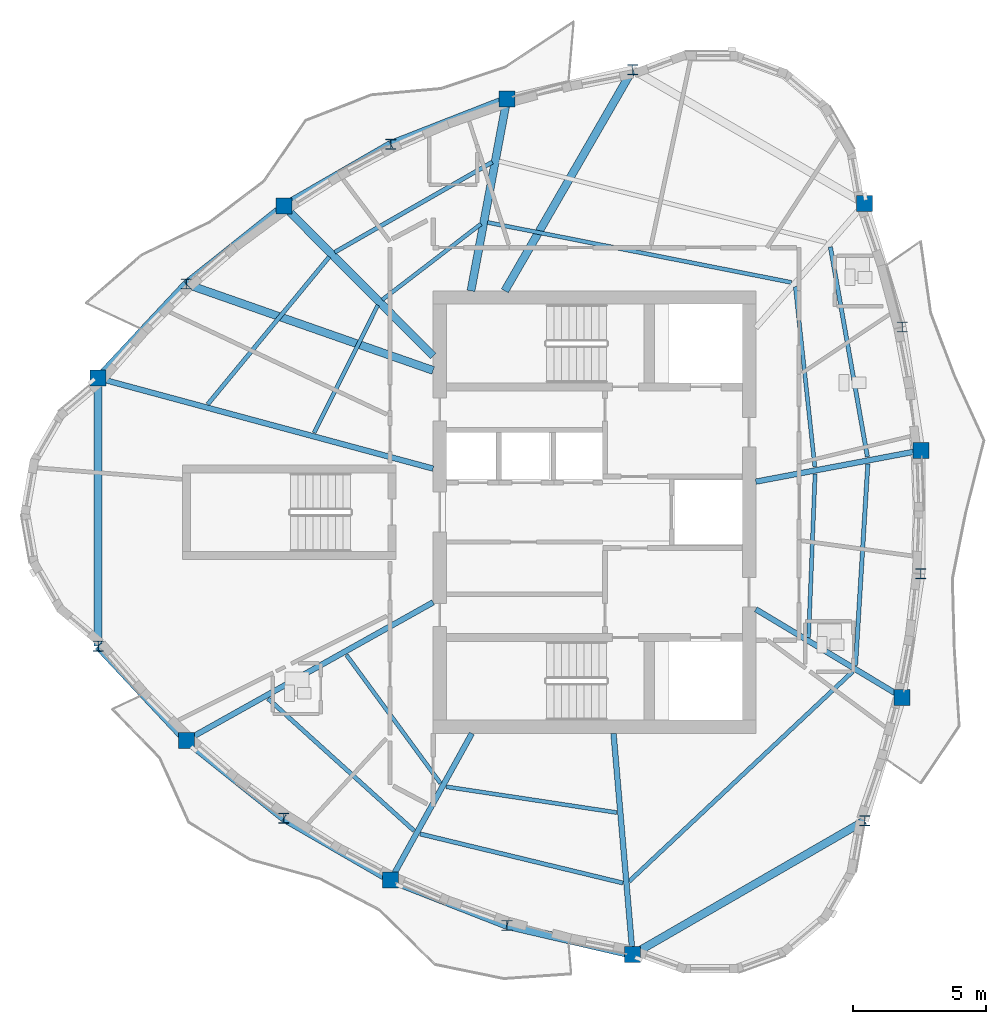
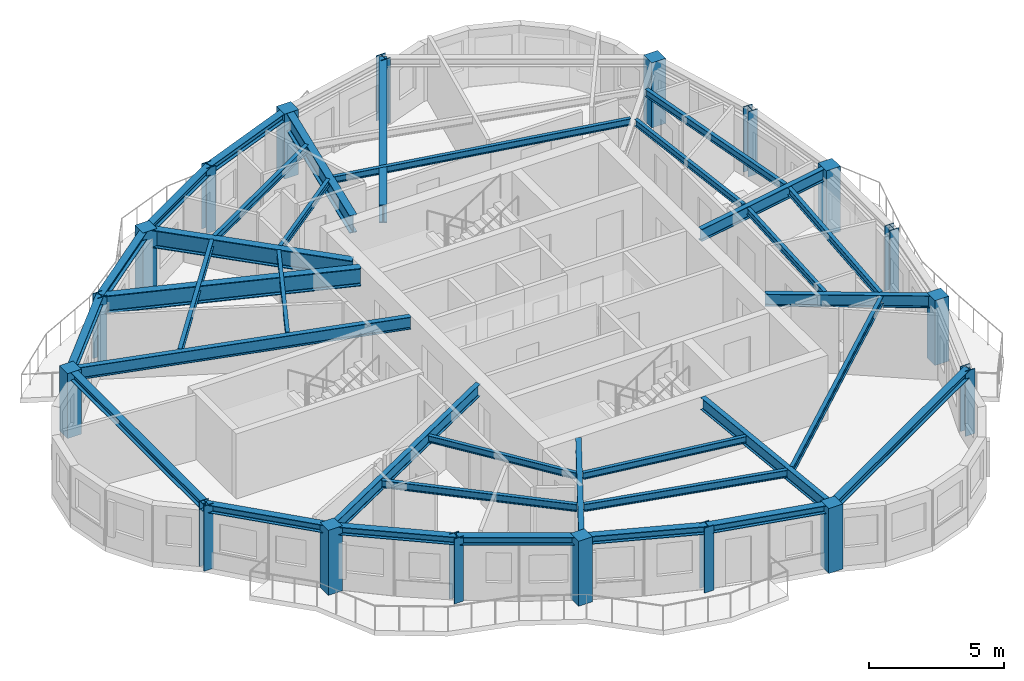
# One storey, part 1 of 12: 35 beams, 18 columns.
"""IFC4 building model written with IfcOpenShell, lengths in metres."""

from ifc_helpers import new_model, si_unit, direction, frame, origin, origin_2d, place, context, subcontext, project, spatial, rectangle, i_section, extrude, source, transform, mapped, material, material_profile, profile_set, type_object, element, save


model = new_model("IFC4")

# Units and contexts
model_context = context("Model", 3, precision=1e-05, world=origin(), true_north=direction((0.0, 1.0)))
body_context = subcontext(model_context, "Body", "Model", "MODEL_VIEW")
ifc_project = project(units=[si_unit("LENGTHUNIT", "METRE"), si_unit("AREAUNIT", "SQUARE_METRE"), si_unit("VOLUMEUNIT", "CUBIC_METRE"), si_unit("PLANEANGLEUNIT", "RADIAN"), si_unit("MASSUNIT", "GRAM", prefix="KILO")], contexts=[model_context])

# Site, building, storey
site_placement = place(None, origin())
site = spatial("IfcSite", under=ifc_project, at=site_placement, CompositionType="ELEMENT")
building_placement = place(site_placement, origin())
building = spatial("IfcBuilding", under=site, at=building_placement, Name="Qafzar Sky-Pleat Residences", CompositionType="ELEMENT")
storey_placement = place(building_placement, frame((0.0, 0.0, 202.0)))
storey = spatial("IfcBuildingStorey", under=building, at=storey_placement, Name="L60", CompositionType="ELEMENT", Elevation=202.0)

# Columns
ifc_material_1 = material(Name="Concrete C50/60", Category="concrete")
ifc_material_profile_1 = material_profile(ifc_material_1, rectangle(XDim=0.60009765625, YDim=0.60009765625, at=origin_2d()), Name="RC 600x600")
ifc_profile_set_1 = profile_set([ifc_material_profile_1], Name="Concrete C50/60")
column_type_1 = type_object("IfcColumnType", Name="COL-RC-600", PredefinedType="COLUMN", material=ifc_profile_set_1)
shared_shape_1 = source(origin(), body_context, "Body", "SweptSolid", [
    extrude(rectangle(XDim=0.60009765625, YDim=0.60009765625, at=origin_2d()), origin(), (0.0, 0.0, 1.0), 2.93505859375),
])
for number, where, z_axis, x_axis, name in (
    (1, (11.739990234375, 31.02294921875, 0.0), (0.0, 0.0, 1.0), (1.0, 0.0, 0.0), "L60 Perimeter Mega Column 1"),
    (2, (15.04443359375, 17.444580078125, 0.0), (0.0, 0.0, 1.0), (1.0, 0.0, 0.0), "L60 Perimeter Mega Column 3"),
    (3, (22.708740234375, 12.207275390625, 0.0), (0.0, 0.0, 1.0), (1.0, 0.0, 0.0), "L60 Perimeter Mega Column 5"),
    (4, (31.780029296875, 9.406982421875, 0.0), (0.0, 0.0, 1.0), (1.0, 0.0, 0.0), "L60 Perimeter Mega Column 7"),
    (5, (41.886962890625, 19.057861328125, 0.0), (0.0, 0.0, 1.0), (1.0, 0.0, 0.0), "L60 Perimeter Mega Column 9"),
    (6, (42.59033203125, 28.31396484375, 0.0), (0.0, 0.0, 1.0), (1.0, 0.0, 0.0), "L60 Perimeter Mega Column 11"),
    (7, (40.47998046875, 37.570068359375, 0.0), (0.0, 0.0, 1.0), (1.0, 0.0, 0.0), "L60 Perimeter Mega Column 13"),
    (8, (27.068603515625, 41.49755859375, 0.0), (0.0, 0.0, 1.0), (1.0, 0.0, 0.0), "L60 Perimeter Mega Column 15"),
    (9, (18.70068359375, 37.478515625, 0.0), (0.0, 0.0, 1.0), (1.0, 0.0, 0.0), "L60 Perimeter Mega Column 17"),
):
    element("IfcColumn", number, at=place(storey_placement, frame(where, z_axis=z_axis, x_axis=x_axis)), inside=storey, type_object=column_type_1, Name=name, PredefinedType="COLUMN", context=body_context, shape_type="MappedRepresentation", body=[
        mapped(shared_shape_1, transform((0.0, 0.0, 0.0), x_axis=(1.0, 0.0, 0.0), y_axis=(0.0, 1.0, 0.0), z_axis=(0.0, 0.0, 1.0), scale=1.0)),
    ])
ifc_material_2 = material(Name="Steel S355", Category="steel")
ifc_material_profile_2 = material_profile(ifc_material_2, i_section(OverallWidth=0.39794921875, OverallDepth=0.386962890625, WebThickness=0.01904296875, FlangeThickness=0.030029296875, FilletRadius=0.014892578125, at=origin_2d()), Name="HD 400x262")
ifc_profile_set_2 = profile_set([ifc_material_profile_2], Name="Steel S355")
column_type_2 = type_object("IfcColumnType", Name="COL-STL-HD262", PredefinedType="PILASTER", material=ifc_profile_set_2)
shared_shape_2 = source(origin(), body_context, "Body", "SweptSolid", [
    extrude(i_section(OverallWidth=0.39794921875, OverallDepth=0.386962890625, WebThickness=0.01904296875, FlangeThickness=0.030029296875, FilletRadius=0.014892578125, at=origin_2d()), origin(), (0.0, 0.0, 1.0), 2.93505859375),
])
for number, where, z_axis, x_axis, name in (
    (10, (11.739990234375, 20.97705078125, 0.0), (0.0, 0.0, 1.0), (1.0, 0.0, 0.0), "L60 Perimeter Mega Column 2"),
    (11, (18.70068359375, 14.521484375, 0.0), (0.0, 0.0, 1.0), (1.0, 0.0, 0.0), "L60 Perimeter Mega Column 4"),
    (12, (27.068603515625, 10.50244140625, 0.0), (0.0, 0.0, 1.0), (1.0, 0.0, 0.0), "L60 Perimeter Mega Column 6"),
    (13, (40.47998046875, 14.429931640625, 0.0), (0.0, 0.0, 1.0), (1.0, 0.0, 0.0), "L60 Perimeter Mega Column 8"),
    (14, (42.59033203125, 23.68603515625, 0.0), (0.0, 0.0, 1.0), (1.0, 0.0, 0.0), "L60 Perimeter Mega Column 10"),
    (15, (41.886962890625, 32.942138671875, 0.0), (0.0, 0.0, 1.0), (1.0, 0.0, 0.0), "L60 Perimeter Mega Column 12"),
    (16, (31.780029296875, 42.593017578125, 0.0), (0.0, 0.0, 1.0), (1.0, 0.0, 0.0), "L60 Perimeter Mega Column 14"),
    (17, (22.708740234375, 39.792724609375, 0.0), (0.0, 0.0, 1.0), (1.0, 0.0, 0.0), "L60 Perimeter Mega Column 16"),
    (18, (15.04443359375, 34.555419921875, 0.0), (0.0, 0.0, 1.0), (1.0, 0.0, 0.0), "L60 Perimeter Mega Column 18"),
):
    element("IfcColumn", number, at=place(storey_placement, frame(where, z_axis=z_axis, x_axis=x_axis)), inside=storey, type_object=column_type_2, Name=name, PredefinedType="PILASTER", context=body_context, shape_type="MappedRepresentation", body=[
        mapped(shared_shape_2, transform((0.0, 0.0, 0.0), x_axis=(1.0, 0.0, 0.0), y_axis=(0.0, 1.0, 0.0), z_axis=(0.0, 0.0, 1.0), scale=1.0)),
    ])

# Beams
ifc_material_profile_3 = material_profile(ifc_material_2, i_section(OverallWidth=0.300048828125, OverallDepth=0.360107421875, WebThickness=0.012451171875, FlangeThickness=0.0224609375, FilletRadius=0.027099609375, at=origin_2d()), Name="HEB 360")
ifc_profile_set_3 = profile_set([ifc_material_profile_3], Name="Steel S355")
beam_type_1 = type_object("IfcBeamType", Name="BM-SPAN-HEB360", PredefinedType="SPANDREL", material=ifc_profile_set_3)
shared_shape_3 = source(origin(), body_context, "Body", "SweptSolid", [
    extrude(i_section(OverallWidth=0.300048828125, OverallDepth=0.360107421875, WebThickness=0.012451171875, FlangeThickness=0.0224609375, FilletRadius=0.027099609375, at=origin_2d()), origin(), (0.0, 0.0, 1.0), 10.0458984375),
])
for number, where, z_axis, x_axis, name in (
    (19, (11.739990234375, 31.02294921875, 2.7529296875), (0.0, -1.0, 0.0), (1.0, 0.0, 0.0), "L60 Perimeter Spandrel Beam 1"),
    (20, (31.780029296875, 9.406982421875, 2.7529296875), (0.866024107753, 0.500002244785, 0.0), (-0.500002244785, 0.866024107753, 0.0), "L60 Perimeter Spandrel Beam 7"),
):
    element("IfcBeam", number, at=place(storey_placement, frame(where, z_axis=z_axis, x_axis=x_axis)), inside=storey, type_object=beam_type_1, Name=name, PredefinedType="SPANDREL", context=body_context, shape_type="MappedRepresentation", body=[
        mapped(shared_shape_3, transform((0.0, 0.0, 0.0), x_axis=(1.0, 0.0, 0.0), y_axis=(0.0, 1.0, 0.0), z_axis=(0.0, 0.0, 1.0), scale=1.0)),
    ])
shared_shape_4 = source(origin(), body_context, "Body", "SweptSolid", [
    extrude(i_section(OverallWidth=0.300048828125, OverallDepth=0.360107421875, WebThickness=0.012451171875, FlangeThickness=0.0224609375, FilletRadius=0.027099609375, at=origin_2d()), origin(), (0.0, 0.0, 1.0), 4.837158203125),
])
for number, where, z_axis, x_axis, name in (
    (21, (11.739990234375, 20.97705078125, 2.7529296875), (0.683143236152, -0.730284409596, 0.0), (0.730284409596, 0.683143236152, 0.0), "L60 Perimeter Spandrel Beam 2"),
    (22, (27.068603515625, 10.50244140625, 2.7529296875), (0.974018125748, -0.226470065822, 0.0), (0.226470065822, 0.974018125748, 0.0), "L60 Perimeter Spandrel Beam 6"),
    (23, (15.04443359375, 34.555419921875, 2.7529296875), (-0.683143236152, -0.730284409596, 0.0), (0.730284409596, -0.683143236152, 0.0), "L60 Perimeter Spandrel Beam 18"),
):
    element("IfcBeam", number, at=place(storey_placement, frame(where, z_axis=z_axis, x_axis=x_axis)), inside=storey, type_object=beam_type_1, Name=name, PredefinedType="SPANDREL", context=body_context, shape_type="MappedRepresentation", body=[
        mapped(shared_shape_4, transform((0.0, 0.0, 0.0), x_axis=(1.0, 0.0, 0.0), y_axis=(0.0, 1.0, 0.0), z_axis=(0.0, 0.0, 1.0), scale=1.0)),
    ])
shared_shape_5 = source(origin(), body_context, "Body", "SweptSolid", [
    extrude(i_section(OverallWidth=0.300048828125, OverallDepth=0.360107421875, WebThickness=0.012451171875, FlangeThickness=0.0224609375, FilletRadius=0.027099609375, at=origin_2d()), origin(), (0.0, 0.0, 1.0), 4.68115234375),
])
for number, where, z_axis, x_axis, name in (
    (24, (15.04443359375, 17.444580078125, 2.7529296875), (0.781067211918, -0.624446963695, 0.0), (0.624446963695, 0.781067211918, 0.0), "L60 Perimeter Spandrel Beam 3"),
    (25, (18.70068359375, 37.478515625, 2.7529296875), (-0.781067211918, -0.624446963695, 0.0), (0.624446963695, -0.781067211918, 0.0), "L60 Perimeter Spandrel Beam 17"),
):
    element("IfcBeam", number, at=place(storey_placement, frame(where, z_axis=z_axis, x_axis=x_axis)), inside=storey, type_object=beam_type_1, Name=name, PredefinedType="SPANDREL", context=body_context, shape_type="MappedRepresentation", body=[
        mapped(shared_shape_5, transform((0.0, 0.0, 0.0), x_axis=(1.0, 0.0, 0.0), y_axis=(0.0, 1.0, 0.0), z_axis=(0.0, 0.0, 1.0), scale=1.0)),
    ])
shared_shape_6 = source(origin(), body_context, "Body", "SweptSolid", [
    extrude(i_section(OverallWidth=0.300048828125, OverallDepth=0.360107421875, WebThickness=0.012451171875, FlangeThickness=0.0224609375, FilletRadius=0.027099609375, at=origin_2d()), origin(), (0.0, 0.0, 1.0), 4.628173828125),
])
for number, where, z_axis, x_axis, name in (
    (26, (18.70068359375, 14.521484375, 2.7529296875), (0.866010770261, -0.500025345149, 0.0), (0.500025345149, 0.866010770261, 0.0), "L60 Perimeter Spandrel Beam 4"),
    (27, (22.708740234375, 39.792724609375, 2.7529296875), (-0.866010770261, -0.500025345149, 0.0), (0.500025345149, -0.866010770261, 0.0), "L60 Perimeter Spandrel Beam 16"),
):
    element("IfcBeam", number, at=place(storey_placement, frame(where, z_axis=z_axis, x_axis=x_axis)), inside=storey, type_object=beam_type_1, Name=name, PredefinedType="SPANDREL", context=body_context, shape_type="MappedRepresentation", body=[
        mapped(shared_shape_6, transform((0.0, 0.0, 0.0), x_axis=(1.0, 0.0, 0.0), y_axis=(0.0, 1.0, 0.0), z_axis=(0.0, 0.0, 1.0), scale=1.0)),
    ])
shared_shape_7 = source(origin(), body_context, "Body", "SweptSolid", [
    extrude(i_section(OverallWidth=0.300048828125, OverallDepth=0.360107421875, WebThickness=0.012451171875, FlangeThickness=0.0224609375, FilletRadius=0.027099609375, at=origin_2d()), origin(), (0.0, 0.0, 1.0), 4.681396484375),
])
for number, where, z_axis, x_axis, name in (
    (28, (22.708740234375, 12.207275390625, 2.7529296875), (0.931329701628, -0.36417713666, 0.0), (0.36417713666, 0.931329701628, 0.0), "L60 Perimeter Spandrel Beam 5"),
    (29, (27.068603515625, 41.49755859375, 2.7529296875), (-0.931329701628, -0.36417713666, 0.0), (0.36417713666, -0.931329701628, 0.0), "L60 Perimeter Spandrel Beam 15"),
):
    element("IfcBeam", number, at=place(storey_placement, frame(where, z_axis=z_axis, x_axis=x_axis)), inside=storey, type_object=beam_type_1, Name=name, PredefinedType="SPANDREL", context=body_context, shape_type="MappedRepresentation", body=[
        mapped(shared_shape_7, transform((0.0, 0.0, 0.0), x_axis=(1.0, 0.0, 0.0), y_axis=(0.0, 1.0, 0.0), z_axis=(0.0, 0.0, 1.0), scale=1.0)),
    ])
ifc_material_profile_4 = material_profile(ifc_material_2, i_section(OverallWidth=0.2099609375, OverallDepth=0.550048828125, WebThickness=0.010986328125, FlangeThickness=0.01708984375, FilletRadius=0.02392578125, at=origin_2d()), Name="IPE 550")
ifc_profile_set_4 = profile_set([ifc_material_profile_4], Name="Steel S355")
beam_type_2 = type_object("IfcBeamType", Name="BM-SEC-IPE550", PredefinedType="BEAM", material=ifc_profile_set_4)
shared_shape_8 = source(origin(), body_context, "Body", "SweptSolid", [
    extrude(i_section(OverallWidth=0.2099609375, OverallDepth=0.550048828125, WebThickness=0.010986328125, FlangeThickness=0.01708984375, FilletRadius=0.02392578125, at=origin_2d()), origin(), (0.0, 0.0, 1.0), 13.009521484375),
])
beam_1_placement = place(storey_placement, frame((11.739990234375, 31.02294921875, 2.657958984375), z_axis=(0.965449953427, -0.260588540475, 0.0), x_axis=(0.260588540475, 0.965449953427, 0.0)))
element("IfcBeam", 30, at=beam_1_placement, inside=storey, type_object=beam_type_2, Name="L60 Radial Floor Girder 1", PredefinedType="BEAM", context=body_context, shape_type="MappedRepresentation", body=[
    mapped(shared_shape_8, transform((0.0, 0.0, 0.0), x_axis=(1.0, 0.0, 0.0), y_axis=(0.0, 1.0, 0.0), z_axis=(0.0, 0.0, 1.0), scale=1.0)),
])
shared_shape_9 = source(origin(), body_context, "Body", "SweptSolid", [
    extrude(i_section(OverallWidth=0.2099609375, OverallDepth=0.550048828125, WebThickness=0.010986328125, FlangeThickness=0.01708984375, FilletRadius=0.02392578125, at=origin_2d()), origin(), (0.0, 0.0, 1.0), 10.603515625),
])
beam_2_placement = place(storey_placement, frame((15.04443359375, 17.444580078125, 2.657958984375), z_axis=(0.872890126958, 0.487916823095, 0.0), x_axis=(-0.487916823095, 0.872890126958, 0.0)))
element("IfcBeam", 31, at=beam_2_placement, inside=storey, type_object=beam_type_2, Name="L60 Radial Floor Girder 3", PredefinedType="BEAM", context=body_context, shape_type="MappedRepresentation", body=[
    mapped(shared_shape_9, transform((0.0, 0.0, 0.0), x_axis=(1.0, 0.0, 0.0), y_axis=(0.0, 1.0, 0.0), z_axis=(0.0, 0.0, 1.0), scale=1.0)),
])
shared_shape_10 = source(origin(), body_context, "Body", "SweptSolid", [
    extrude(i_section(OverallWidth=0.2099609375, OverallDepth=0.550048828125, WebThickness=0.010986328125, FlangeThickness=0.01708984375, FilletRadius=0.02392578125, at=origin_2d()), origin(), (0.0, 0.0, 1.0), 6.279296875),
])
beam_3_placement = place(storey_placement, frame((22.708740234375, 12.207275390625, 2.657958984375), z_axis=(0.484606022079, 0.874732532472, 0.0), x_axis=(-0.874732532472, 0.484606022079, 0.0)))
element("IfcBeam", 32, at=beam_3_placement, inside=storey, type_object=beam_type_2, Name="L60 Radial Floor Girder 5", PredefinedType="BEAM", context=body_context, shape_type="MappedRepresentation", body=[
    mapped(shared_shape_10, transform((0.0, 0.0, 0.0), x_axis=(1.0, 0.0, 0.0), y_axis=(0.0, 1.0, 0.0), z_axis=(0.0, 0.0, 1.0), scale=1.0)),
])
shared_shape_11 = source(origin(), body_context, "Body", "SweptSolid", [
    extrude(i_section(OverallWidth=0.2099609375, OverallDepth=0.550048828125, WebThickness=0.010986328125, FlangeThickness=0.01708984375, FilletRadius=0.02392578125, at=origin_2d()), origin(), (0.0, 0.0, 1.0), 8.32373046875),
])
beam_4_placement = place(storey_placement, frame((31.780029296875, 9.406982421875, 2.657958984375), z_axis=(-0.085880310608, 0.996305461317, 0.0), x_axis=(-0.996305461317, -0.085880310608, 0.0)))
element("IfcBeam", 33, at=beam_4_placement, inside=storey, type_object=beam_type_2, Name="L60 Radial Floor Girder 7", PredefinedType="BEAM", context=body_context, shape_type="MappedRepresentation", body=[
    mapped(shared_shape_11, transform((0.0, 0.0, 0.0), x_axis=(1.0, 0.0, 0.0), y_axis=(0.0, 1.0, 0.0), z_axis=(0.0, 0.0, 1.0), scale=1.0)),
])
shared_shape_12 = source(origin(), body_context, "Body", "SweptSolid", [
    extrude(i_section(OverallWidth=0.2099609375, OverallDepth=0.550048828125, WebThickness=0.010986328125, FlangeThickness=0.01708984375, FilletRadius=0.02392578125, at=origin_2d()), origin(), (0.0, 0.0, 1.0), 6.40380859375),
])
beam_5_placement = place(storey_placement, frame((41.886962890625, 19.057861328125, 2.657958984375), z_axis=(-0.856836272207, 0.515588598235, 0.0), x_axis=(-0.515588598235, -0.856836272207, 0.0)))
element("IfcBeam", 34, at=beam_5_placement, inside=storey, type_object=beam_type_2, Name="L60 Radial Floor Girder 9", PredefinedType="BEAM", context=body_context, shape_type="MappedRepresentation", body=[
    mapped(shared_shape_12, transform((0.0, 0.0, 0.0), x_axis=(1.0, 0.0, 0.0), y_axis=(0.0, 1.0, 0.0), z_axis=(0.0, 0.0, 1.0), scale=1.0)),
])
shared_shape_13 = source(origin(), body_context, "Body", "SweptSolid", [
    extrude(i_section(OverallWidth=0.2099609375, OverallDepth=0.550048828125, WebThickness=0.010986328125, FlangeThickness=0.01708984375, FilletRadius=0.02392578125, at=origin_2d()), origin(), (0.0, 0.0, 1.0), 6.300048828125),
])
beam_6_placement = place(storey_placement, frame((42.59033203125, 28.31396484375, 2.657958984375), z_axis=(-0.982599120298, -0.185738980265, 0.0), x_axis=(0.185738980265, -0.982599120298, 0.0)))
element("IfcBeam", 35, at=beam_6_placement, inside=storey, type_object=beam_type_2, Name="L60 Radial Floor Girder 11", PredefinedType="BEAM", context=body_context, shape_type="MappedRepresentation", body=[
    mapped(shared_shape_13, transform((0.0, 0.0, 0.0), x_axis=(1.0, 0.0, 0.0), y_axis=(0.0, 1.0, 0.0), z_axis=(0.0, 0.0, 1.0), scale=1.0)),
])
ifc_material_profile_5 = material_profile(ifc_material_2, i_section(OverallWidth=0.159912109375, OverallDepth=0.330078125, WebThickness=0.007568359375, FlangeThickness=0.011474609375, FilletRadius=0.01806640625, at=origin_2d()), Name="IPE 330")
ifc_profile_set_5 = profile_set([ifc_material_profile_5], Name="Steel S355")
beam_type_3 = type_object("IfcBeamType", Name="BM-JST-IPE330", PredefinedType="JOIST", material=ifc_profile_set_5)
shared_shape_14 = source(origin(), body_context, "Body", "SweptSolid", [
    extrude(i_section(OverallWidth=0.159912109375, OverallDepth=0.330078125, WebThickness=0.007568359375, FlangeThickness=0.011474609375, FilletRadius=0.01806640625, at=origin_2d()), origin(), (0.0, 0.0, 1.0), 7.384521484375),
])
beam_7_placement = place(storey_placement, frame((18.1064453125, 19.009521484375, 2.76806640625), z_axis=(0.741565541832, -0.670880426877, 0.0), x_axis=(0.670880426877, 0.741565541832, 0.0)))
element("IfcBeam", 36, at=beam_7_placement, inside=storey, type_object=beam_type_3, Name="L60 Outer Secondary Floor Joist 2", PredefinedType="JOIST", context=body_context, shape_type="MappedRepresentation", body=[
    mapped(shared_shape_14, transform((0.0, 0.0, 0.0), x_axis=(1.0, 0.0, 0.0), y_axis=(0.0, 1.0, 0.0), z_axis=(0.0, 0.0, 1.0), scale=1.0)),
])
shared_shape_15 = source(origin(), body_context, "Body", "SweptSolid", [
    extrude(i_section(OverallWidth=0.159912109375, OverallDepth=0.330078125, WebThickness=0.007568359375, FlangeThickness=0.011474609375, FilletRadius=0.01806640625, at=origin_2d()), origin(), (0.0, 0.0, 1.0), 7.825927734375),
])
beam_8_placement = place(storey_placement, frame((23.813720703125, 13.93310546875, 2.76806640625), z_axis=(0.971949803175, -0.235188392802, 0.0), x_axis=(0.235188392802, 0.971949803175, 0.0)))
element("IfcBeam", 37, at=beam_8_placement, inside=storey, type_object=beam_type_3, Name="L60 Outer Secondary Floor Joist 3", PredefinedType="JOIST", context=body_context, shape_type="MappedRepresentation", body=[
    mapped(shared_shape_15, transform((0.0, 0.0, 0.0), x_axis=(1.0, 0.0, 0.0), y_axis=(0.0, 1.0, 0.0), z_axis=(0.0, 0.0, 1.0), scale=1.0)),
])
shared_shape_16 = source(origin(), body_context, "Body", "SweptSolid", [
    extrude(i_section(OverallWidth=0.159912109375, OverallDepth=0.330078125, WebThickness=0.007568359375, FlangeThickness=0.011474609375, FilletRadius=0.01806640625, at=origin_2d()), origin(), (0.0, 0.0, 1.0), 11.49755859375),
])
beam_9_placement = place(storey_placement, frame((31.649658203125, 12.1533203125, 2.76806640625), z_axis=(0.729123199787, 0.684382465828, 0.0), x_axis=(-0.684382465828, 0.729123199787, 0.0)))
element("IfcBeam", 38, at=beam_9_placement, inside=storey, type_object=beam_type_3, Name="L60 Outer Secondary Floor Joist 4", PredefinedType="JOIST", context=body_context, shape_type="MappedRepresentation", body=[
    mapped(shared_shape_16, transform((0.0, 0.0, 0.0), x_axis=(1.0, 0.0, 0.0), y_axis=(0.0, 1.0, 0.0), z_axis=(0.0, 0.0, 1.0), scale=1.0)),
])
shared_shape_17 = source(origin(), body_context, "Body", "SweptSolid", [
    extrude(i_section(OverallWidth=0.159912109375, OverallDepth=0.330078125, WebThickness=0.007568359375, FlangeThickness=0.011474609375, FilletRadius=0.01806640625, at=origin_2d()), origin(), (0.0, 0.0, 1.0), 7.569580078125),
])
beam_10_placement = place(storey_placement, frame((40.139404296875, 20.249267578125, 2.76806640625), z_axis=(0.061022845874, 0.998136369582, 0.0), x_axis=(-0.998136369582, 0.061022845874, 0.0)))
element("IfcBeam", 39, at=beam_10_placement, inside=storey, type_object=beam_type_3, Name="L60 Outer Secondary Floor Joist 5", PredefinedType="JOIST", context=body_context, shape_type="MappedRepresentation", body=[
    mapped(shared_shape_17, transform((0.0, 0.0, 0.0), x_axis=(1.0, 0.0, 0.0), y_axis=(0.0, 1.0, 0.0), z_axis=(0.0, 0.0, 1.0), scale=1.0)),
])
shared_shape_18 = source(origin(), body_context, "Body", "SweptSolid", [
    extrude(i_section(OverallWidth=0.159912109375, OverallDepth=0.330078125, WebThickness=0.007568359375, FlangeThickness=0.011474609375, FilletRadius=0.01806640625, at=origin_2d()), origin(), (0.0, 0.0, 1.0), 7.994873046875),
])
beam_11_placement = place(storey_placement, frame((40.5859375, 28.072509765625, 2.76806640625), z_axis=(-0.173632033155, 0.984810599589, 0.0), x_axis=(-0.984810599589, -0.173632033155, 0.0)))
element("IfcBeam", 40, at=beam_11_placement, inside=storey, type_object=beam_type_3, Name="L60 Outer Secondary Floor Joist 6", PredefinedType="JOIST", context=body_context, shape_type="MappedRepresentation", body=[
    mapped(shared_shape_18, transform((0.0, 0.0, 0.0), x_axis=(1.0, 0.0, 0.0), y_axis=(0.0, 1.0, 0.0), z_axis=(0.0, 0.0, 1.0), scale=1.0)),
])
ifc_material_profile_6 = material_profile(ifc_material_2, i_section(OverallWidth=0.14990234375, OverallDepth=0.300048828125, WebThickness=0.007080078125, FlangeThickness=0.0107421875, FilletRadius=0.014892578125, at=origin_2d()), Name="IPE 300")
ifc_profile_set_6 = profile_set([ifc_material_profile_6], Name="Steel S355")
beam_type_4 = type_object("IfcBeamType", Name="BM-JST-IPE300", PredefinedType="JOIST", material=ifc_profile_set_6)
shared_shape_19 = source(origin(), body_context, "Body", "SweptSolid", [
    extrude(i_section(OverallWidth=0.14990234375, OverallDepth=0.300048828125, WebThickness=0.007080078125, FlangeThickness=0.0107421875, FilletRadius=0.014892578125, at=origin_2d()), origin(), (0.0, 0.0, 1.0), 5.9697265625),
])
beam_12_placement = place(storey_placement, frame((21.0478515625, 20.646728515625, 2.782958984375), z_axis=(0.591083495716, -0.806610377501, 0.0), x_axis=(0.806610377501, 0.591083495716, 0.0)))
element("IfcBeam", 41, at=beam_12_placement, inside=storey, type_object=beam_type_4, Name="L60 Inner Secondary Floor Joist 2", PredefinedType="JOIST", context=body_context, shape_type="MappedRepresentation", body=[
    mapped(shared_shape_19, transform((0.0, 0.0, 0.0), x_axis=(1.0, 0.0, 0.0), y_axis=(0.0, 1.0, 0.0), z_axis=(0.0, 0.0, 1.0), scale=1.0)),
])
shared_shape_20 = source(origin(), body_context, "Body", "SweptSolid", [
    extrude(i_section(OverallWidth=0.14990234375, OverallDepth=0.300048828125, WebThickness=0.007080078125, FlangeThickness=0.0107421875, FilletRadius=0.014892578125, at=origin_2d()), origin(), (0.0, 0.0, 1.0), 6.47216796875),
])
beam_13_placement = place(storey_placement, frame((24.789794921875, 15.702392578125, 2.782958984375), z_axis=(0.988757453477, -0.149528252159, 0.0), x_axis=(0.149528252159, 0.988757453477, 0.0)))
element("IfcBeam", 42, at=beam_13_placement, inside=storey, type_object=beam_type_4, Name="L60 Inner Secondary Floor Joist 3", PredefinedType="JOIST", context=body_context, shape_type="MappedRepresentation", body=[
    mapped(shared_shape_20, transform((0.0, 0.0, 0.0), x_axis=(1.0, 0.0, 0.0), y_axis=(0.0, 1.0, 0.0), z_axis=(0.0, 0.0, 1.0), scale=1.0)),
])
shared_shape_21 = source(origin(), body_context, "Body", "SweptSolid", [
    extrude(i_section(OverallWidth=0.14990234375, OverallDepth=0.300048828125, WebThickness=0.007080078125, FlangeThickness=0.0107421875, FilletRadius=0.014892578125, at=origin_2d()), origin(), (0.0, 0.0, 1.0), 6.129150390625),
])
beam_14_placement = place(storey_placement, frame((38.380615234375, 21.305908203125, 2.782958984375), z_axis=(0.039594201598, 0.999215842148, 0.0), x_axis=(-0.999215842148, 0.039594201598, 0.0)))
element("IfcBeam", 43, at=beam_14_placement, inside=storey, type_object=beam_type_4, Name="L60 Inner Secondary Floor Joist 5", PredefinedType="JOIST", context=body_context, shape_type="MappedRepresentation", body=[
    mapped(shared_shape_21, transform((0.0, 0.0, 0.0), x_axis=(1.0, 0.0, 0.0), y_axis=(0.0, 1.0, 0.0), z_axis=(0.0, 0.0, 1.0), scale=1.0)),
])
shared_shape_22 = source(origin(), body_context, "Body", "SweptSolid", [
    extrude(i_section(OverallWidth=0.14990234375, OverallDepth=0.300048828125, WebThickness=0.007080078125, FlangeThickness=0.0107421875, FilletRadius=0.014892578125, at=origin_2d()), origin(), (0.0, 0.0, 1.0), 6.793701171875),
])
beam_15_placement = place(storey_placement, frame((38.614013671875, 27.69921875, 2.782958984375), z_axis=(-0.107555763992, 0.994199053325, 0.0), x_axis=(-0.994199053325, -0.107555763992, 0.0)))
element("IfcBeam", 44, at=beam_15_placement, inside=storey, type_object=beam_type_4, Name="L60 Inner Secondary Floor Joist 6", PredefinedType="JOIST", context=body_context, shape_type="MappedRepresentation", body=[
    mapped(shared_shape_22, transform((0.0, 0.0, 0.0), x_axis=(1.0, 0.0, 0.0), y_axis=(0.0, 1.0, 0.0), z_axis=(0.0, 0.0, 1.0), scale=1.0)),
])
ifc_material_3 = material(Name="Steel S460", Category="steel")
ifc_material_profile_7 = material_profile(ifc_material_3, i_section(OverallWidth=0.300048828125, OverallDepth=0.800048828125, WebThickness=0.017578125, FlangeThickness=0.032958984375, FilletRadius=0.030029296875, at=origin_2d()), Name="HEB 800")
ifc_profile_set_7 = profile_set([ifc_material_profile_7], Name="Steel S460")
beam_type_5 = type_object("IfcBeamType", Name="BM-CHORD-HEB800", PredefinedType="BEAM", material=ifc_profile_set_7)
shared_shape_23 = source(origin(), body_context, "Body", "SweptSolid", [
    extrude(i_section(OverallWidth=0.300048828125, OverallDepth=0.800048828125, WebThickness=0.017578125, FlangeThickness=0.032958984375, FilletRadius=0.030029296875, at=origin_2d()), origin(), (0.0, 0.0, 1.0), 9.577392578125),
])
beam_16_placement = place(storey_placement, frame((31.780029296875, 42.593017578125, 2.532958984375), z_axis=(-0.500240224089, -0.865886665912, 0.0), x_axis=(0.865886665912, -0.500240224089, 0.0)))
element("IfcBeam", 45, at=beam_16_placement, inside=storey, type_object=beam_type_5, Name="L61 Setback Transfer Girder 14", PredefinedType="BEAM", context=body_context, shape_type="MappedRepresentation", body=[
    mapped(shared_shape_23, transform((0.0, 0.0, 0.0), x_axis=(1.0, 0.0, 0.0), y_axis=(0.0, 1.0, 0.0), z_axis=(0.0, 0.0, 1.0), scale=1.0)),
])
shared_shape_24 = source(origin(), body_context, "Body", "SweptSolid", [
    extrude(i_section(OverallWidth=0.300048828125, OverallDepth=0.800048828125, WebThickness=0.017578125, FlangeThickness=0.032958984375, FilletRadius=0.030029296875, at=origin_2d()), origin(), (0.0, 0.0, 1.0), 7.322998046875),
])
beam_17_placement = place(storey_placement, frame((27.068603515625, 41.49755859375, 2.532958984375), z_axis=(-0.184298599677, -0.982870299763, 0.0), x_axis=(0.982870299763, -0.184298599677, 0.0)))
element("IfcBeam", 46, at=beam_17_placement, inside=storey, type_object=beam_type_5, Name="L61 Setback Transfer Girder 15", PredefinedType="BEAM", context=body_context, shape_type="MappedRepresentation", body=[
    mapped(shared_shape_24, transform((0.0, 0.0, 0.0), x_axis=(1.0, 0.0, 0.0), y_axis=(0.0, 1.0, 0.0), z_axis=(0.0, 0.0, 1.0), scale=1.0)),
])
shared_shape_25 = source(origin(), body_context, "Body", "SweptSolid", [
    extrude(i_section(OverallWidth=0.300048828125, OverallDepth=0.800048828125, WebThickness=0.017578125, FlangeThickness=0.032958984375, FilletRadius=0.030029296875, at=origin_2d()), origin(), (0.0, 0.0, 1.0), 7.93359375),
])
beam_18_placement = place(storey_placement, frame((18.70068359375, 37.478515625, 2.532958984375), z_axis=(0.705782297415, -0.708428788698, 0.0), x_axis=(0.708428788698, 0.705782297415, 0.0)))
element("IfcBeam", 47, at=beam_18_placement, inside=storey, type_object=beam_type_5, Name="L61 Setback Transfer Girder 17", PredefinedType="BEAM", context=body_context, shape_type="MappedRepresentation", body=[
    mapped(shared_shape_25, transform((0.0, 0.0, 0.0), x_axis=(1.0, 0.0, 0.0), y_axis=(0.0, 1.0, 0.0), z_axis=(0.0, 0.0, 1.0), scale=1.0)),
])
shared_shape_26 = source(origin(), body_context, "Body", "SweptSolid", [
    extrude(i_section(OverallWidth=0.300048828125, OverallDepth=0.800048828125, WebThickness=0.017578125, FlangeThickness=0.032958984375, FilletRadius=0.030029296875, at=origin_2d()), origin(), (0.0, 0.0, 1.0), 9.806884765625),
])
beam_19_placement = place(storey_placement, frame((15.04443359375, 34.555419921875, 2.532958984375), z_axis=(0.943787309479, -0.33055334587, 0.0), x_axis=(0.33055334587, 0.943787309479, 0.0)))
element("IfcBeam", 48, at=beam_19_placement, inside=storey, type_object=beam_type_5, Name="L61 Setback Transfer Girder 18", PredefinedType="BEAM", context=body_context, shape_type="MappedRepresentation", body=[
    mapped(shared_shape_26, transform((0.0, 0.0, 0.0), x_axis=(1.0, 0.0, 0.0), y_axis=(0.0, 1.0, 0.0), z_axis=(0.0, 0.0, 1.0), scale=1.0)),
])
shared_shape_27 = source(origin(), body_context, "Body", "SweptSolid", [
    extrude(i_section(OverallWidth=0.159912109375, OverallDepth=0.330078125, WebThickness=0.007568359375, FlangeThickness=0.011474609375, FilletRadius=0.01806640625, at=origin_2d()), origin(), (0.0, 0.0, 1.0), 6.808349609375),
])
beam_20_placement = place(storey_placement, frame((26.51953125, 39.127197265625, 2.76806640625), z_axis=(-0.868051090835, -0.49647487721, 0.0), x_axis=(0.49647487721, -0.868051090835, 0.0)))
element("IfcBeam", 49, at=beam_20_placement, inside=storey, type_object=beam_type_3, Name="L60 Outer Secondary Floor Joist 8", PredefinedType="JOIST", context=body_context, shape_type="MappedRepresentation", body=[
    mapped(shared_shape_27, transform((0.0, 0.0, 0.0), x_axis=(1.0, 0.0, 0.0), y_axis=(0.0, 1.0, 0.0), z_axis=(0.0, 0.0, 1.0), scale=1.0)),
])
shared_shape_28 = source(origin(), body_context, "Body", "SweptSolid", [
    extrude(i_section(OverallWidth=0.159912109375, OverallDepth=0.330078125, WebThickness=0.007568359375, FlangeThickness=0.011474609375, FilletRadius=0.01806640625, at=origin_2d()), origin(), (0.0, 0.0, 1.0), 7.17138671875),
])
beam_21_placement = place(storey_placement, frame((20.40673828125, 35.575927734375, 2.76806640625), z_axis=(-0.636069939648, -0.771631409337, 0.0), x_axis=(0.771631409337, -0.636069939648, 0.0)))
element("IfcBeam", 50, at=beam_21_placement, inside=storey, type_object=beam_type_3, Name="L60 Outer Secondary Floor Joist 9", PredefinedType="JOIST", context=body_context, shape_type="MappedRepresentation", body=[
    mapped(shared_shape_28, transform((0.0, 0.0, 0.0), x_axis=(1.0, 0.0, 0.0), y_axis=(0.0, 1.0, 0.0), z_axis=(0.0, 0.0, 1.0), scale=1.0)),
])
shared_shape_29 = source(origin(), body_context, "Body", "SweptSolid", [
    extrude(i_section(OverallWidth=0.14990234375, OverallDepth=0.300048828125, WebThickness=0.007080078125, FlangeThickness=0.0107421875, FilletRadius=0.014892578125, at=origin_2d()), origin(), (0.0, 0.0, 1.0), 11.619140625),
])
beam_22_placement = place(storey_placement, frame((37.736328125, 34.614013671875, 2.782958984375), z_axis=(-0.981054590389, 0.193731491184, 0.0), x_axis=(-0.193731491184, -0.981054590389, 0.0)))
element("IfcBeam", 51, at=beam_22_placement, inside=storey, type_object=beam_type_4, Name="L60 Inner Secondary Floor Joist 7", PredefinedType="JOIST", context=body_context, shape_type="MappedRepresentation", body=[
    mapped(shared_shape_29, transform((0.0, 0.0, 0.0), x_axis=(1.0, 0.0, 0.0), y_axis=(0.0, 1.0, 0.0), z_axis=(0.0, 0.0, 1.0), scale=1.0)),
])
shared_shape_30 = source(origin(), body_context, "Body", "SweptSolid", [
    extrude(i_section(OverallWidth=0.14990234375, OverallDepth=0.300048828125, WebThickness=0.007080078125, FlangeThickness=0.0107421875, FilletRadius=0.014892578125, at=origin_2d()), origin(), (0.0, 0.0, 1.0), 4.67236328125),
])
beam_23_placement = place(storey_placement, frame((26.09765625, 36.808837890625, 2.782958984375), z_axis=(-0.79322187135, -0.608932724373, 0.0), x_axis=(0.608932724373, -0.79322187135, 0.0)))
element("IfcBeam", 52, at=beam_23_placement, inside=storey, type_object=beam_type_4, Name="L60 Inner Secondary Floor Joist 8", PredefinedType="JOIST", context=body_context, shape_type="MappedRepresentation", body=[
    mapped(shared_shape_30, transform((0.0, 0.0, 0.0), x_axis=(1.0, 0.0, 0.0), y_axis=(0.0, 1.0, 0.0), z_axis=(0.0, 0.0, 1.0), scale=1.0)),
])
shared_shape_31 = source(origin(), body_context, "Body", "SweptSolid", [
    extrude(i_section(OverallWidth=0.14990234375, OverallDepth=0.300048828125, WebThickness=0.007080078125, FlangeThickness=0.0107421875, FilletRadius=0.014892578125, at=origin_2d()), origin(), (0.0, 0.0, 1.0), 5.34814453125),
])
beam_24_placement = place(storey_placement, frame((22.22412109375, 33.7607421875, 2.782958984375), z_axis=(-0.446044577891, -0.895010745485, 0.0), x_axis=(0.895010745485, -0.446044577891, 0.0)))
element("IfcBeam", 53, at=beam_24_placement, inside=storey, type_object=beam_type_4, Name="L60 Inner Secondary Floor Joist 9", PredefinedType="JOIST", context=body_context, shape_type="MappedRepresentation", body=[
    mapped(shared_shape_31, transform((0.0, 0.0, 0.0), x_axis=(1.0, 0.0, 0.0), y_axis=(0.0, 1.0, 0.0), z_axis=(0.0, 0.0, 1.0), scale=1.0)),
])

save(model, "model.ifc")
